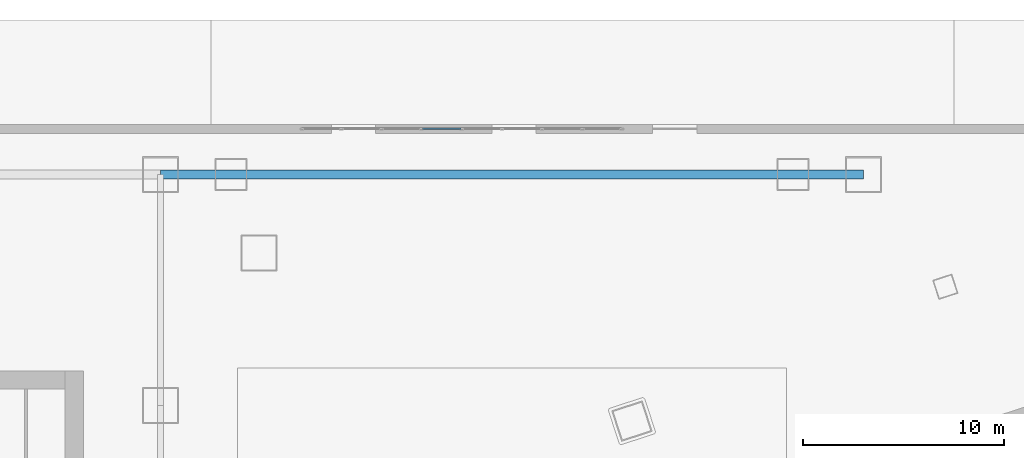
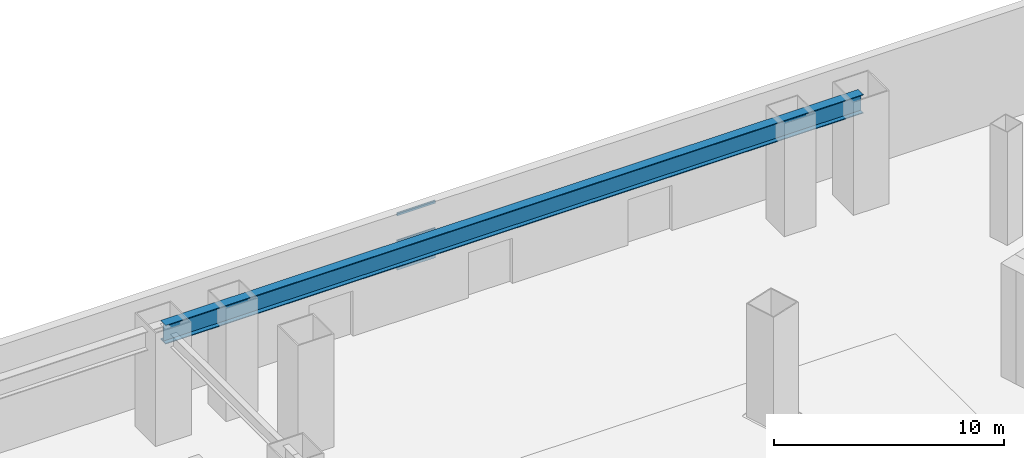
# One storey, part 9 of 31: 3 members, 1 beam, 1 element without a shape of its own.
"""IFC4 building model written with IfcOpenShell, lengths in metres."""

import ifcopenshell
import ifcopenshell.guid

model = None  # the IFC model being written
_history = None  # IfcOwnerHistory: only IFC2X3 demands one
_inside = {}  # id of a spatial element -> (the spatial element, [elements in it])
_under = {}  # id of a project, library or spatial element -> (it, [spatial elements below it])
_declared = {}  # id of a project -> (the project, [libraries it declares])
_typed = {}  # id of a type object -> (the type object, [elements of that type])
_made_of = {}  # id of a material, layer set ... -> (it, [elements and type objects made of it])


def new_model(schema):
    """Start an empty IFC model of exactly this schema.

    Asked for "IFC4X3", IfcOpenShell would pick the latest addendum, in which some entities
    have other attributes; the version numbers below select the first issue.
    IFC2X3 requires an IfcOwnerHistory on every rooted entity: one is made here for all.
    """
    global model, _history
    if schema == "IFC4X3":
        model = ifcopenshell.file(schema_version=(4, 3, 0, 0))
    else:
        model = ifcopenshell.file(schema=schema)
    _inside.clear()
    _under.clear()
    _declared.clear()
    _typed.clear()
    _made_of.clear()
    _history = None
    if model.schema == "IFC2X3":
        org = make("IfcOrganization", Name="unknown")
        user = make(
            "IfcPersonAndOrganization",
            ThePerson=make("IfcPerson", FamilyName="unknown"),
            TheOrganization=org,
        )
        app = make(
            "IfcApplication",
            ApplicationDeveloper=org,
            Version="unknown",
            ApplicationFullName="unknown",
            ApplicationIdentifier="unknown",
        )
        _history = make(
            "IfcOwnerHistory",
            OwningUser=user,
            OwningApplication=app,
            ChangeAction="ADDED",
            CreationDate=0,
        )
    return model


def make(cls, **values):
    """One entity of the class cls with the attributes given. An attribute that is None is left unset."""
    return model.create_entity(
        cls, **{name: value for name, value in values.items() if value is not None}
    )


def rooted(cls, **values):
    """An entity with a GlobalId (a new one), such as an element, a storey or a relation."""
    return make(cls, GlobalId=ifcopenshell.guid.new(), OwnerHistory=_history, **values)


def si_unit(unit_type, name, prefix=None):
    """IfcSIUnit, for example si_unit("LENGTHUNIT", "METRE", prefix="MILLI")."""
    return make("IfcSIUnit", UnitType=unit_type, Prefix=prefix, Name=name)


def assignment(units):
    """IfcUnitAssignment: the units of a project."""
    return None if units is None else make("IfcUnitAssignment", Units=units)


def point(xyz):
    """IfcCartesianPoint."""
    return None if xyz is None else make("IfcCartesianPoint", Coordinates=xyz)


def direction(xyz):
    """IfcDirection."""
    return None if xyz is None else make("IfcDirection", DirectionRatios=xyz)


def frame(location, z_axis=None, x_axis=None):
    """IfcAxis2Placement3D, a coordinate frame: its origin and axes. An axis left out is left unset."""
    return make(
        "IfcAxis2Placement3D",
        Location=point(location),
        Axis=direction(z_axis),
        RefDirection=direction(x_axis),
    )


def frame_2d(location, x_axis=None):
    """IfcAxis2Placement2D, a coordinate frame in the plane: its origin and x axis."""
    return make(
        "IfcAxis2Placement2D", Location=point(location), RefDirection=direction(x_axis)
    )


def origin():
    """The frame at (0, 0, 0) with its axes left unset."""
    return frame((0.0, 0.0, 0.0))


def origin_2d():
    """The frame at (0, 0) in the plane with its x axis left unset."""
    return frame_2d((0.0, 0.0))


def place(relative_to, where):
    """IfcLocalPlacement: puts the frame where relative to a parent placement (None: the world)."""
    return make(
        "IfcLocalPlacement", PlacementRelTo=relative_to, RelativePlacement=where
    )


def context(
    kind, dimensions, precision=None, world=None, true_north=None, identifier=None
):
    """IfcGeometricRepresentationContext, for example the 3D "Model" context."""
    return make(
        "IfcGeometricRepresentationContext",
        ContextIdentifier=identifier,
        ContextType=kind,
        CoordinateSpaceDimension=dimensions,
        Precision=precision,
        WorldCoordinateSystem=world,
        TrueNorth=true_north,
    )


def subcontext(parent, identifier, kind, view, scale=None):
    """IfcGeometricRepresentationSubContext, for example "Body" below "Model"."""
    return make(
        "IfcGeometricRepresentationSubContext",
        ContextIdentifier=identifier,
        ContextType=kind,
        ParentContext=parent,
        TargetScale=scale,
        TargetView=view,
    )


def project(units=None, contexts=None):
    """IfcProject with its units and contexts."""
    return rooted(
        "IfcProject",
        Name="project",
        RepresentationContexts=contexts,
        UnitsInContext=assignment(units),
    )


def spatial(cls, under=None, at=None, **own):
    """A site, building, storey or space (cls), placed at a placement, below another one or the project."""
    s = rooted(cls, ObjectPlacement=at, **own)
    if under is not None:
        _under.setdefault(under.id(), (under, []))[1].append(s)
    return s


def profile(cls, at=None, kind="AREA", **sizes):
    """A parametric profile (cls). Its sizes go by their IFC names, for example OverallWidth=200.0."""
    return make(cls, ProfileType=kind, Position=at, **sizes)


def hollow_rectangle(**sizes):
    """IfcRectangleHollowProfileDef."""
    return profile("IfcRectangleHollowProfileDef", **sizes)


def i_section(**sizes):
    """IfcIShapeProfileDef."""
    return profile("IfcIShapeProfileDef", **sizes)


def extrude(swept, where, along, depth):
    """IfcExtrudedAreaSolid: the profile swept, set in the frame where, extruded along a direction by depth."""
    return make(
        "IfcExtrudedAreaSolid",
        SweptArea=swept,
        Position=where,
        ExtrudedDirection=direction(along),
        Depth=depth,
    )


def shape(context_of_items, identifier, shape_type, items):
    """IfcShapeRepresentation: the items that make up one representation, for example the "Body"."""
    return make(
        "IfcShapeRepresentation",
        ContextOfItems=context_of_items,
        RepresentationIdentifier=identifier,
        RepresentationType=shape_type,
        Items=items,
    )


def material(Name=None, Category=None):
    """IfcMaterial."""
    return make("IfcMaterial", Name=Name, Category=Category)


def layer(
    of_material, thickness, ventilated=None, Name=None, Category=None, Priority=None
):
    """IfcMaterialLayer: one layer of a wall or slab, of a material (None: an air gap)."""
    return make(
        "IfcMaterialLayer",
        Material=of_material,
        LayerThickness=thickness,
        IsVentilated=ventilated,
        Name=Name,
        Category=Category,
        Priority=Priority,
    )


def layer_set(layers, Name=None):
    """IfcMaterialLayerSet."""
    return make("IfcMaterialLayerSet", MaterialLayers=layers, LayerSetName=Name)


def material_profile(
    of_material, cross_section, Name=None, Category=None, Priority=None
):
    """IfcMaterialProfile: a cross section and its material."""
    return make(
        "IfcMaterialProfile",
        Name=Name,
        Material=of_material,
        Profile=cross_section,
        Priority=Priority,
        Category=Category,
    )


def profile_set(profiles, Name=None, composite=None):
    """IfcMaterialProfileSet."""
    return make(
        "IfcMaterialProfileSet",
        Name=Name,
        MaterialProfiles=profiles,
        CompositeProfile=composite,
    )


def made_of(thing, what):
    """Note that an element or type object is made of a material, layer set ...; save() writes the relation."""
    if what is not None:
        _made_of.setdefault(what.id(), (what, []))[1].append(thing)
    return thing


def type_object(cls, material=None, **own):
    """A type object (cls), such as IfcWallType, which elements share."""
    return made_of(rooted(cls, **own), material)


def element(
    cls,
    number,
    at=None,
    inside=None,
    cuts=None,
    type_object=None,
    material=None,
    context=None,
    identifier="Body",
    shape_type=None,
    held_by="IfcProductDefinitionShape",
    body=None,
    shapes=None,
    **own,
):
    """One element of the class cls, such as IfcWall. Its Tag is "e" and its number.

    at: its placement. inside: the storey or other place that contains it. cuts: it is an
    opening in that element (IfcRelVoidsElement). A single representation is given by context,
    identifier, shape_type and body (its items); several are given by shapes. held_by: the class
    of the entity that holds the representations. save() writes the other relations.
    """
    e = rooted(cls, Tag="e%d" % number, ObjectPlacement=at, **own)
    if body is not None:
        shapes = [shape(context, identifier, shape_type, body)]
    if shapes is not None:
        e.Representation = make(held_by, Representations=shapes)
    if inside is not None:
        _inside.setdefault(inside.id(), (inside, []))[1].append(e)
    if cuts is not None:
        rooted(
            "IfcRelVoidsElement", RelatingBuildingElement=cuts, RelatedOpeningElement=e
        )
    if type_object is not None:
        _typed.setdefault(type_object.id(), (type_object, []))[1].append(e)
    return made_of(e, material)


def aggregate(whole, parts):
    """IfcRelAggregates: a whole, such as a stair, and the parts it consists of."""
    return rooted("IfcRelAggregates", RelatingObject=whole, RelatedObjects=parts)


def save(model, path):
    """Write the relations noted so far, then the file.

    IfcRelAggregates (storeys below a building ...), IfcRelContainedInSpatialStructure (elements
    in a storey), IfcRelDefinesByType, IfcRelAssociatesMaterial and IfcRelDeclares: one each for
    every whole, place, type object, material and project.
    """
    for whole, parts in _under.values():
        aggregate(whole, parts)
    for where, things in _inside.values():
        rooted(
            "IfcRelContainedInSpatialStructure",
            RelatedElements=things,
            RelatingStructure=where,
        )
    for kind, things in _typed.values():
        rooted("IfcRelDefinesByType", RelatedObjects=things, RelatingType=kind)
    for what, things in _made_of.values():
        rooted("IfcRelAssociatesMaterial", RelatedObjects=things, RelatingMaterial=what)
    for by, libraries in _declared.values():
        rooted("IfcRelDeclares", RelatingContext=by, RelatedDefinitions=libraries)
    model.write(path)


model = new_model("IFC4")

# Units and contexts
model_context = context("Model", 3, precision=1e-05, world=origin(), true_north=direction((0.0, 1.0)))
body_context = subcontext(model_context, "Body", "Model", "MODEL_VIEW")
ifc_project = project(units=[si_unit("LENGTHUNIT", "METRE"), si_unit("AREAUNIT", "SQUARE_METRE"), si_unit("VOLUMEUNIT", "CUBIC_METRE"), si_unit("PLANEANGLEUNIT", "RADIAN"), si_unit("MASSUNIT", "GRAM", prefix="KILO")], contexts=[model_context])

# Site, building, storey
site_placement = place(None, origin())
site = spatial("IfcSite", under=ifc_project, at=site_placement, CompositionType="ELEMENT")
building_placement = place(site_placement, origin())
building = spatial("IfcBuilding", under=site, at=building_placement, Name="Qiaolan Cultural Towers", CompositionType="ELEMENT")
storey_placement = place(building_placement, origin())
storey = spatial("IfcBuildingStorey", under=building, at=storey_placement, Name="L00", CompositionType="ELEMENT", Elevation=0.0)

# Beam
ifc_material_1 = material(Name="Steel Q390GJB", Category="steel")
ifc_material_profile_1 = material_profile(ifc_material_1, i_section(OverallWidth=0.449951171875, OverallDepth=1.0, WebThickness=0.02392578125, FlangeThickness=0.0400390625, at=origin_2d()), Name="BH1000x450x24x40")
ifc_profile_set_1 = profile_set([ifc_material_profile_1], Name="Steel Q390GJB")
beam_type = type_object("IfcBeamType", Name="BM-BH1000x450x24x40", PredefinedType="BEAM", material=ifc_profile_set_1)
beam_placement = place(storey_placement, frame((42.5, 65.5, 5.199951171875), z_axis=(1.0, 0.0, 0.0), x_axis=(0.0, 1.0, 0.0)))
element("IfcBeam", 1, at=beam_placement, inside=storey, type_object=beam_type, Name="L00 Podium Primary Girder Y=65.5", PredefinedType="BEAM", context=body_context, shape_type="SweptSolid", body=[
    extrude(i_section(OverallWidth=0.449951171875, OverallDepth=1.0, WebThickness=0.02392578125, FlangeThickness=0.0400390625, at=origin_2d()), origin(), (0.0, 0.0, 1.0), 35.0),
])

# Curtain wall, members
ifc_material_2 = material(Name="Unitized Anodized Aluminium Curtain Wall System", Category="aluminium")
ifc_layer = layer(ifc_material_2, 0.199951171875)
ifc_layer_set = layer_set([ifc_layer], Name="Unitized Anodized Aluminium Curtain Wall System")
curtain_wall_type = type_object("IfcCurtainWallType", Name="CWS-01", PredefinedType="NOTDEFINED", material=ifc_layer_set)
curtain_wall_placement = place(storey_placement, origin())
curtain_wall = element("IfcCurtainWall", 2, at=curtain_wall_placement, inside=storey, type_object=curtain_wall_type, Name="L00 North Station Concourse Clerestory Curtain Wall", PredefinedType="NOTDEFINED")
ifc_material_3 = material(Name="Extruded Aluminium 6063-T6", Category="aluminium")
ifc_material_profile_2 = material_profile(ifc_material_3, hollow_rectangle(XDim=0.06494140625, YDim=0.14990234375, WallThickness=0.00390625, at=origin_2d()), Name="CWT-150x65x4")
ifc_profile_set_2 = profile_set([ifc_material_profile_2], Name="Extruded Aluminium 6063-T6")
member_type = type_object("IfcMemberType", Name="CWS-01-TRN", PredefinedType="USERDEFINED", material=ifc_profile_set_2)
member_1_placement = place(storey_placement, frame((55.53759765625, 67.780029296875, 2.632568359375), z_axis=(1.0, 0.0, 0.0), x_axis=(0.0, 1.0, 0.0)))
member_1 = element("IfcMember", 3, at=member_1_placement, type_object=member_type, Name="CW-1 transom 4.1", ObjectType="TRANSOM", PredefinedType="USERDEFINED", context=body_context, shape_type="SweptSolid", body=[
    extrude(hollow_rectangle(XDim=0.06494140625, YDim=0.14990234375, WallThickness=0.00390625, at=origin_2d()), origin(), (0.0, 0.0, 1.0), 1.9248046875),
])
member_2_placement = place(storey_placement, frame((55.53759765625, 67.780029296875, 4.070068359375), z_axis=(1.0, 0.0, 0.0), x_axis=(0.0, 1.0, 0.0)))
member_2 = element("IfcMember", 4, at=member_2_placement, type_object=member_type, Name="CW-1 transom 4.2", ObjectType="TRANSOM", PredefinedType="USERDEFINED", context=body_context, shape_type="SweptSolid", body=[
    extrude(hollow_rectangle(XDim=0.06494140625, YDim=0.14990234375, WallThickness=0.00390625, at=origin_2d()), origin(), (0.0, 0.0, 1.0), 1.9248046875),
])
member_3_placement = place(storey_placement, frame((55.53759765625, 67.780029296875, 5.517578125), z_axis=(1.0, 0.0, 0.0), x_axis=(0.0, 1.0, 0.0)))
member_3 = element("IfcMember", 5, at=member_3_placement, type_object=member_type, Name="CW-1 transom 4.3", ObjectType="TRANSOM", PredefinedType="USERDEFINED", context=body_context, shape_type="SweptSolid", body=[
    extrude(hollow_rectangle(XDim=0.06494140625, YDim=0.14990234375, WallThickness=0.00390625, at=origin_2d()), origin(), (0.0, 0.0, 1.0), 1.9248046875),
])
aggregate(curtain_wall, [member_1, member_2, member_3])

save(model, "model.ifc")
